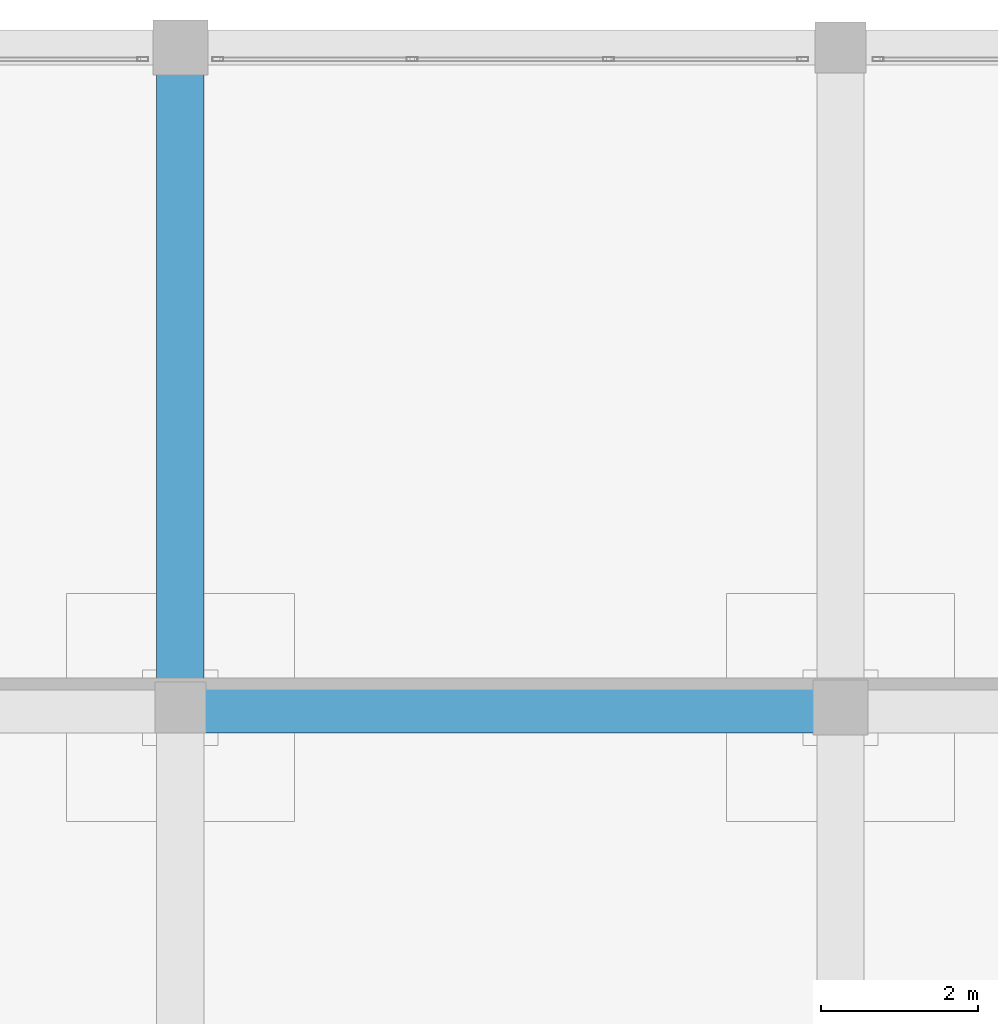
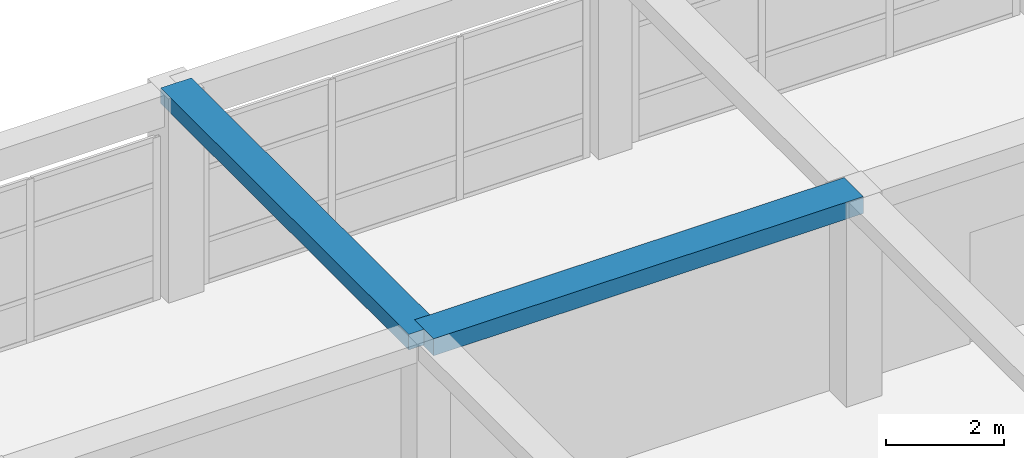
# One storey, part 46 of 85: 2 beams.
"""IFC4 building model written with IfcOpenShell, lengths in metres."""

from ifc_helpers import new_model, si_unit, direction, frame, origin, origin_2d, place, context, subcontext, project, spatial, rectangle, extrude, material, material_profile, profile_set, type_object, element, save


model = new_model("IFC4")

# Units and contexts
model_context = context("Model", 3, precision=1e-05, world=origin(), true_north=direction((0.0, 1.0)))
body_context = subcontext(model_context, "Body", "Model", "MODEL_VIEW")
ifc_project = project(units=[si_unit("LENGTHUNIT", "METRE"), si_unit("AREAUNIT", "SQUARE_METRE"), si_unit("VOLUMEUNIT", "CUBIC_METRE"), si_unit("PLANEANGLEUNIT", "RADIAN"), si_unit("MASSUNIT", "GRAM", prefix="KILO")], contexts=[model_context])

# Site, building, storey
site_placement = place(None, origin())
site = spatial("IfcSite", under=ifc_project, at=site_placement, CompositionType="ELEMENT")
building_placement = place(site_placement, origin())
building = spatial("IfcBuilding", under=site, at=building_placement, Name="Almacenes y Pasaje Nevantli", CompositionType="ELEMENT")
storey_placement = place(building_placement, frame((0.0, 0.0, 22.199951171875)))
storey = spatial("IfcBuildingStorey", under=building, at=storey_placement, Name="L05", CompositionType="ELEMENT", Elevation=22.199951171875)

# Beams
ifc_material_1 = material(Name="Concrete C35/45", Category="concrete")
ifc_material_profile_1 = material_profile(ifc_material_1, rectangle(XDim=0.60009765625, YDim=0.320068359375, at=origin_2d()), Name="RC-BM-600x320")
ifc_profile_set_1 = profile_set([ifc_material_profile_1], Name="Concrete C35/45")
beam_type_1 = type_object("IfcBeamType", Name="BM-RC-600x320", PredefinedType="BEAM", material=ifc_profile_set_1)
beam_1_placement = place(storey_placement, frame((100.800048828125, 109.199951171875, 4.06005859375), z_axis=(0.0, 1.0, 0.0), x_axis=(-1.0, 0.0, 0.0)))
element("IfcBeam", 1, at=beam_1_placement, inside=storey, type_object=beam_type_1, Name="L05 North-South Reinforced Concrete Beam #3490", PredefinedType="BEAM", context=body_context, shape_type="SweptSolid", body=[
    extrude(rectangle(XDim=0.60009765625, YDim=0.320068359375, at=origin_2d()), origin(), (0.0, 0.0, 1.0), 8.400146484375),
])
ifc_material_2 = material(Name="Concrete C35/45", Category="concrete")
ifc_material_profile_2 = material_profile(ifc_material_2, rectangle(XDim=0.64990234375, YDim=0.35009765625, at=origin_2d()), Name="RC-BM-650x350")
ifc_profile_set_2 = profile_set([ifc_material_profile_2], Name="Concrete C35/45")
beam_type_2 = type_object("IfcBeamType", Name="BM-RC-650x350", PredefinedType="BEAM", material=ifc_profile_set_2)
beam_2_placement = place(storey_placement, frame((100.800048828125, 109.199951171875, 4.045166015625), z_axis=(1.0, 0.0, 0.0), x_axis=(0.0, 1.0, 0.0)))
element("IfcBeam", 2, at=beam_2_placement, inside=storey, type_object=beam_type_2, Name="L05 East-West Reinforced Concrete Beam #3397", PredefinedType="BEAM", context=body_context, shape_type="SweptSolid", body=[
    extrude(rectangle(XDim=0.64990234375, YDim=0.35009765625, at=origin_2d()), origin(), (0.0, 0.0, 1.0), 8.39990234375),
])

save(model, "model.ifc")
